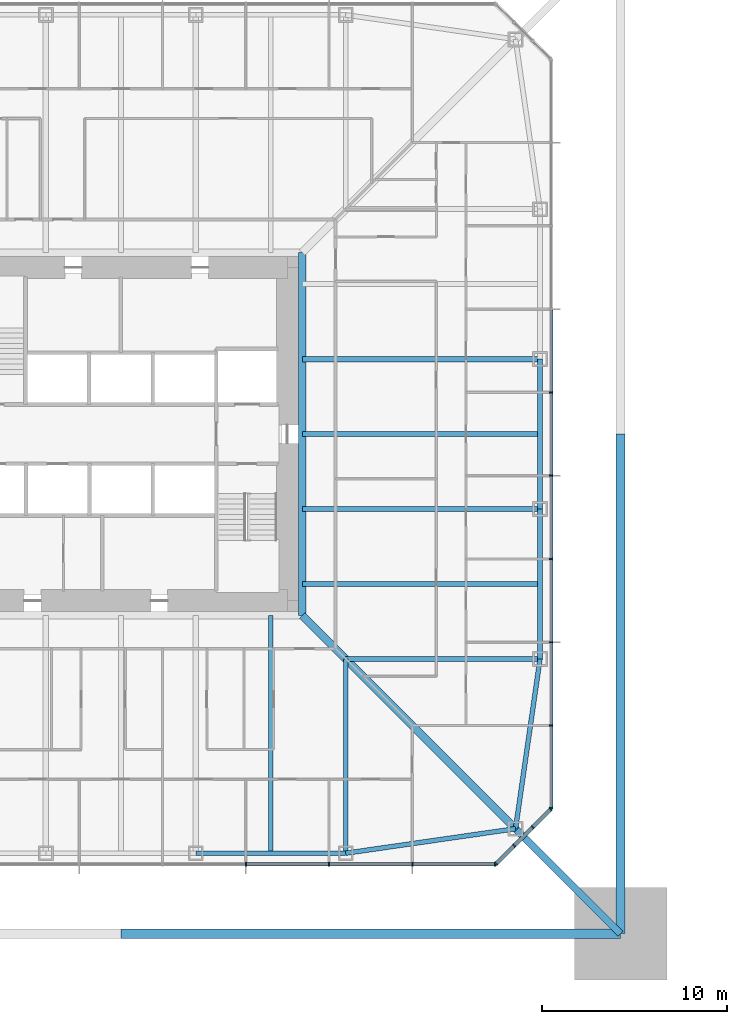
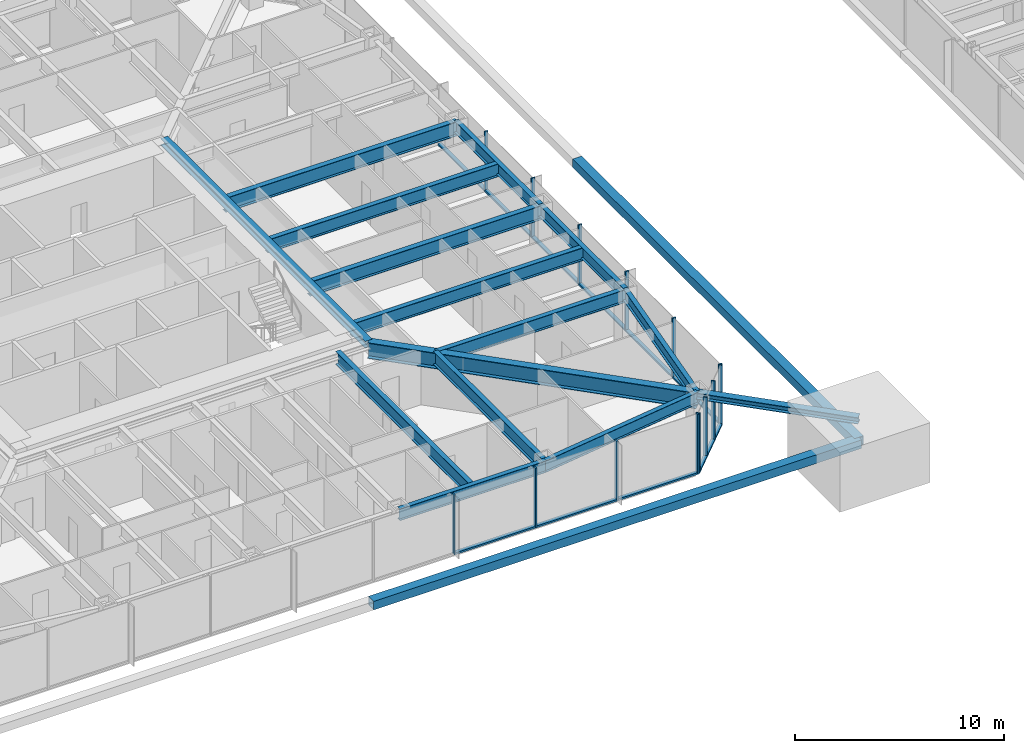
# One storey, part 5 of 27: 29 members, 14 beams, 3 elements without a shape of their own.
"""IFC4 building model written with IfcOpenShell, lengths in metres."""

from ifc_helpers import new_model, si_unit, direction, frame, origin, origin_2d, place, context, subcontext, project, spatial, rectangle, hollow_rectangle, i_section, extrude, material, material_profile, profile_set, type_object, element, aggregate, save


model = new_model("IFC4")

# Units and contexts
model_context = context("Model", 3, precision=1e-05, world=origin(), true_north=direction((0.0, 1.0)))
body_context = subcontext(model_context, "Body", "Model", "MODEL_VIEW")
ifc_project = project(units=[si_unit("LENGTHUNIT", "METRE"), si_unit("AREAUNIT", "SQUARE_METRE"), si_unit("VOLUMEUNIT", "CUBIC_METRE"), si_unit("PLANEANGLEUNIT", "RADIAN"), si_unit("MASSUNIT", "GRAM", prefix="KILO")], contexts=[model_context])

# Site, building, storey
site_placement = place(None, origin())
site = spatial("IfcSite", under=ifc_project, at=site_placement, CompositionType="ELEMENT")
building_placement = place(site_placement, origin())
building = spatial("IfcBuilding", under=site, at=building_placement, Name="Iwan Alto Co-Living Towers", CompositionType="ELEMENT")
storey_placement = place(building_placement, frame((0.0, 0.0, 53.5)))
storey = spatial("IfcBuildingStorey", under=building, at=storey_placement, Name="L14", CompositionType="ELEMENT", Elevation=53.5)

# Curtain wall, members
ifc_material_1 = material(Name="Bronze aluminium unitised frame", Category="aluminium")
curtain_wall_type_1 = type_object("IfcCurtainWallType", Name="CURTAIN WALL CW-A", PredefinedType="NOTDEFINED", material=ifc_material_1)
curtain_wall_1_placement = place(storey_placement, origin())
curtain_wall_1 = element("IfcCurtainWall", 1, at=curtain_wall_1_placement, inside=storey, type_object=curtain_wall_type_1, Name="T1 curtain wall S L14", PredefinedType="NOTDEFINED")
ifc_material_2 = material(Name="Aluminium 6063-T6 bronze anodised", Category="aluminium")
ifc_material_profile_1 = material_profile(ifc_material_2, rectangle(XDim=0.199951171875, YDim=0.080078125, at=origin_2d()), Name="AL 80X200")
ifc_profile_set_1 = profile_set([ifc_material_profile_1], Name="Aluminium 6063-T6 bronze anodised")
member_type_1 = type_object("IfcMemberType", Name="CW-A MULLION 80X200", PredefinedType="MULLION", material=ifc_profile_set_1)
member_1_placement = place(storey_placement, frame((6.75, -23.25, 0.0), z_axis=(0.0, 0.0, 1.0), x_axis=(0.0, 1.0, 0.0)))
member_1 = element("IfcMember", 2, at=member_1_placement, type_object=member_type_1, Name="CW-A mullion 7", PredefinedType="MULLION", context=body_context, shape_type="SweptSolid", body=[
    extrude(rectangle(XDim=0.199951171875, YDim=0.080078125, at=origin_2d()), origin(), (0.0, 0.0, 1.0), 3.5),
])
member_2_placement = place(storey_placement, frame((11.25, -23.25, 0.0), z_axis=(0.0, 0.0, 1.0), x_axis=(0.0, 1.0, 0.0)))
member_2 = element("IfcMember", 3, at=member_2_placement, type_object=member_type_1, Name="CW-A mullion 8", PredefinedType="MULLION", context=body_context, shape_type="SweptSolid", body=[
    extrude(rectangle(XDim=0.199951171875, YDim=0.080078125, at=origin_2d()), origin(), (0.0, 0.0, 1.0), 3.5),
])
member_3_placement = place(storey_placement, frame((15.75, -23.25, 0.0), z_axis=(0.0, 0.0, 1.0), x_axis=(0.0, 1.0, 0.0)))
member_3 = element("IfcMember", 4, at=member_3_placement, type_object=member_type_1, Name="CW-A mullion 9", PredefinedType="MULLION", context=body_context, shape_type="SweptSolid", body=[
    extrude(rectangle(XDim=0.199951171875, YDim=0.080078125, at=origin_2d()), origin(), (0.0, 0.0, 1.0), 3.5),
])
member_4_placement = place(storey_placement, frame((20.2099609375, -23.25, 0.0), z_axis=(0.0, 0.0, 1.0), x_axis=(0.0, 1.0, 0.0)))
member_4 = element("IfcMember", 5, at=member_4_placement, type_object=member_type_1, Name="CW-A mullion 10", PredefinedType="MULLION", context=body_context, shape_type="SweptSolid", body=[
    extrude(rectangle(XDim=0.199951171875, YDim=0.080078125, at=origin_2d()), origin(), (0.0, 0.0, 1.0), 3.5),
])

curtain_wall_2_placement = place(storey_placement, origin())
curtain_wall_2 = element("IfcCurtainWall", 6, at=curtain_wall_2_placement, inside=storey, type_object=curtain_wall_type_1, Name="T1 curtain wall E L14", PredefinedType="NOTDEFINED")
member_5_placement = place(storey_placement, frame((23.25, -20.2099609375, 0.0), z_axis=(0.0, 0.0, 1.0), x_axis=(-1.0, 0.0, 0.0)))
member_5 = element("IfcMember", 7, at=member_5_placement, type_object=member_type_1, Name="CW-A mullion 1", PredefinedType="MULLION", context=body_context, shape_type="SweptSolid", body=[
    extrude(rectangle(XDim=0.199951171875, YDim=0.080078125, at=origin_2d()), origin(), (0.0, 0.0, 1.0), 3.5),
])
member_6_placement = place(storey_placement, frame((23.25, -15.75, 0.0), z_axis=(0.0, 0.0, 1.0), x_axis=(-1.0, 0.0, 0.0)))
member_6 = element("IfcMember", 8, at=member_6_placement, type_object=member_type_1, Name="CW-A mullion 2", PredefinedType="MULLION", context=body_context, shape_type="SweptSolid", body=[
    extrude(rectangle(XDim=0.199951171875, YDim=0.080078125, at=origin_2d()), origin(), (0.0, 0.0, 1.0), 3.5),
])
member_7_placement = place(storey_placement, frame((23.25, -11.25, 0.0), z_axis=(0.0, 0.0, 1.0), x_axis=(-1.0, 0.0, 0.0)))
member_7 = element("IfcMember", 9, at=member_7_placement, type_object=member_type_1, Name="CW-A mullion 3", PredefinedType="MULLION", context=body_context, shape_type="SweptSolid", body=[
    extrude(rectangle(XDim=0.199951171875, YDim=0.080078125, at=origin_2d()), origin(), (0.0, 0.0, 1.0), 3.5),
])
member_8_placement = place(storey_placement, frame((23.25, -6.75, 0.0), z_axis=(0.0, 0.0, 1.0), x_axis=(-1.0, 0.0, 0.0)))
member_8 = element("IfcMember", 10, at=member_8_placement, type_object=member_type_1, Name="CW-A mullion 4", PredefinedType="MULLION", context=body_context, shape_type="SweptSolid", body=[
    extrude(rectangle(XDim=0.199951171875, YDim=0.080078125, at=origin_2d()), origin(), (0.0, 0.0, 1.0), 3.5),
])
member_9_placement = place(storey_placement, frame((23.25, -2.25, 0.0), z_axis=(0.0, 0.0, 1.0), x_axis=(-1.0, 0.0, 0.0)))
member_9 = element("IfcMember", 11, at=member_9_placement, type_object=member_type_1, Name="CW-A mullion 5", PredefinedType="MULLION", context=body_context, shape_type="SweptSolid", body=[
    extrude(rectangle(XDim=0.199951171875, YDim=0.080078125, at=origin_2d()), origin(), (0.0, 0.0, 1.0), 3.5),
])
member_10_placement = place(storey_placement, frame((23.25, 2.25, 0.0), z_axis=(0.0, 0.0, 1.0), x_axis=(-1.0, 0.0, 0.0)))
member_10 = element("IfcMember", 12, at=member_10_placement, type_object=member_type_1, Name="CW-A mullion 6", PredefinedType="MULLION", context=body_context, shape_type="SweptSolid", body=[
    extrude(rectangle(XDim=0.199951171875, YDim=0.080078125, at=origin_2d()), origin(), (0.0, 0.0, 1.0), 3.5),
])

# Member
ifc_material_3 = material(Name="Aluminium 6063-T6 bronze anodised", Category="aluminium")
ifc_material_profile_2 = material_profile(ifc_material_3, rectangle(XDim=0.199951171875, YDim=0.10009765625, at=origin_2d()), Name="AL 200X100")
ifc_profile_set_2 = profile_set([ifc_material_profile_2], Name="Aluminium 6063-T6 bronze anodised")
member_type_2 = type_object("IfcMemberType", Name="CW-A TRANSOM 200X100", PredefinedType="USERDEFINED", material=ifc_profile_set_2)
member_11_placement = place(storey_placement, frame((6.7900390625, -23.25, 0.050048828125), z_axis=(1.0, 0.0, 0.0), x_axis=(0.0, 1.0, 0.0)))
member_11 = element("IfcMember", 13, at=member_11_placement, type_object=member_type_2, Name="CW-A transom 7.1", ObjectType="TRANSOM", PredefinedType="USERDEFINED", context=body_context, shape_type="SweptSolid", body=[
    extrude(rectangle(XDim=0.199951171875, YDim=0.10009765625, at=origin_2d()), origin(), (0.0, 0.0, 1.0), 4.419921875),
])

member_12_placement = place(storey_placement, frame((11.2900390625, -23.25, 0.050048828125), z_axis=(1.0, 0.0, 0.0), x_axis=(0.0, 1.0, 0.0)))
member_12 = element("IfcMember", 14, at=member_12_placement, type_object=member_type_2, Name="CW-A transom 8.1", ObjectType="TRANSOM", PredefinedType="USERDEFINED", context=body_context, shape_type="SweptSolid", body=[
    extrude(rectangle(XDim=0.199951171875, YDim=0.10009765625, at=origin_2d()), origin(), (0.0, 0.0, 1.0), 4.419921875),
])

member_13_placement = place(storey_placement, frame((15.7900390625, -23.25, 0.050048828125), z_axis=(1.0, 0.0, 0.0), x_axis=(0.0, 1.0, 0.0)))
member_13 = element("IfcMember", 15, at=member_13_placement, type_object=member_type_2, Name="CW-A transom 9.1", ObjectType="TRANSOM", PredefinedType="USERDEFINED", context=body_context, shape_type="SweptSolid", body=[
    extrude(rectangle(XDim=0.199951171875, YDim=0.10009765625, at=origin_2d()), origin(), (0.0, 0.0, 1.0), 4.3798828125),
])

aggregate(curtain_wall_1, [member_1, member_2, member_3, member_4, member_11, member_12, member_13])

member_14_placement = place(storey_placement, frame((23.25, -20.169921875, 0.050048828125), z_axis=(0.0, 1.0, 0.0), x_axis=(-1.0, 0.0, 0.0)))
member_14 = element("IfcMember", 16, at=member_14_placement, type_object=member_type_2, Name="CW-A transom 1.1", ObjectType="TRANSOM", PredefinedType="USERDEFINED", context=body_context, shape_type="SweptSolid", body=[
    extrude(rectangle(XDim=0.199951171875, YDim=0.10009765625, at=origin_2d()), origin(), (0.0, 0.0, 1.0), 4.3798828125),
])

member_15_placement = place(storey_placement, frame((23.25, -15.7099609375, 0.050048828125), z_axis=(0.0, 1.0, 0.0), x_axis=(-1.0, 0.0, 0.0)))
member_15 = element("IfcMember", 17, at=member_15_placement, type_object=member_type_2, Name="CW-A transom 2.1", ObjectType="TRANSOM", PredefinedType="USERDEFINED", context=body_context, shape_type="SweptSolid", body=[
    extrude(rectangle(XDim=0.199951171875, YDim=0.10009765625, at=origin_2d()), origin(), (0.0, 0.0, 1.0), 4.419921875),
])

member_16_placement = place(storey_placement, frame((23.25, -11.2099609375, 0.050048828125), z_axis=(0.0, 1.0, 0.0), x_axis=(-1.0, 0.0, 0.0)))
member_16 = element("IfcMember", 18, at=member_16_placement, type_object=member_type_2, Name="CW-A transom 3.1", ObjectType="TRANSOM", PredefinedType="USERDEFINED", context=body_context, shape_type="SweptSolid", body=[
    extrude(rectangle(XDim=0.199951171875, YDim=0.10009765625, at=origin_2d()), origin(), (0.0, 0.0, 1.0), 4.419921875),
])

member_17_placement = place(storey_placement, frame((23.25, -6.7099609375, 0.050048828125), z_axis=(0.0, 1.0, 0.0), x_axis=(-1.0, 0.0, 0.0)))
member_17 = element("IfcMember", 19, at=member_17_placement, type_object=member_type_2, Name="CW-A transom 4.1", ObjectType="TRANSOM", PredefinedType="USERDEFINED", context=body_context, shape_type="SweptSolid", body=[
    extrude(rectangle(XDim=0.199951171875, YDim=0.10009765625, at=origin_2d()), origin(), (0.0, 0.0, 1.0), 4.419921875),
])

member_18_placement = place(storey_placement, frame((23.25, -2.2099609375, 0.050048828125), z_axis=(0.0, 1.0, 0.0), x_axis=(-1.0, 0.0, 0.0)))
member_18 = element("IfcMember", 20, at=member_18_placement, type_object=member_type_2, Name="CW-A transom 5.1", ObjectType="TRANSOM", PredefinedType="USERDEFINED", context=body_context, shape_type="SweptSolid", body=[
    extrude(rectangle(XDim=0.199951171875, YDim=0.10009765625, at=origin_2d()), origin(), (0.0, 0.0, 1.0), 4.419921875),
])

member_19_placement = place(storey_placement, frame((23.25, 2.2900390625, 0.050048828125), z_axis=(0.0, 1.0, 0.0), x_axis=(-1.0, 0.0, 0.0)))
member_19 = element("IfcMember", 21, at=member_19_placement, type_object=member_type_2, Name="CW-A transom 6.1", ObjectType="TRANSOM", PredefinedType="USERDEFINED", context=body_context, shape_type="SweptSolid", body=[
    extrude(rectangle(XDim=0.199951171875, YDim=0.10009765625, at=origin_2d()), origin(), (0.0, 0.0, 1.0), 4.419921875),
])

aggregate(curtain_wall_2, [member_5, member_6, member_7, member_8, member_9, member_10, member_14, member_15, member_16, member_17, member_18, member_19])

# Curtain wall, members
ifc_material_4 = material(Name="Bronze aluminium unitised frame", Category="aluminium")
curtain_wall_type_2 = type_object("IfcCurtainWallType", Name="CURTAIN WALL CW-B", PredefinedType="NOTDEFINED", material=ifc_material_4)
curtain_wall_3_placement = place(storey_placement, origin())
curtain_wall_3 = element("IfcCurtainWall", 22, at=curtain_wall_3_placement, inside=storey, type_object=curtain_wall_type_2, Name="T1 chamfer curtain wall SE L14", PredefinedType="NOTDEFINED")
ifc_material_5 = material(Name="Aluminium 6063-T6 bronze anodised", Category="aluminium")
ifc_material_profile_3 = material_profile(ifc_material_5, rectangle(XDim=0.199951171875, YDim=0.080078125, at=origin_2d()), Name="AL 80X200")
ifc_profile_set_3 = profile_set([ifc_material_profile_3], Name="Aluminium 6063-T6 bronze anodised")
member_type_3 = type_object("IfcMemberType", Name="CW-B MULLION 80X200", PredefinedType="MULLION", material=ifc_profile_set_3)
member_20_placement = place(storey_placement, frame((20.2783203125, -23.2216796875, 0.0), z_axis=(0.0, 0.0, 1.0), x_axis=(-0.707106781187, 0.707106781187, 0.0)))
member_20 = element("IfcMember", 23, at=member_20_placement, type_object=member_type_3, Name="CW-B mullion 1", PredefinedType="MULLION", context=body_context, shape_type="SweptSolid", body=[
    extrude(rectangle(XDim=0.199951171875, YDim=0.080078125, at=origin_2d()), origin(), (0.0, 0.0, 1.0), 3.5),
])
member_21_placement = place(storey_placement, frame((21.25, -22.25, 0.0), z_axis=(0.0, 0.0, 1.0), x_axis=(-0.707106781187, 0.707106781187, 0.0)))
member_21 = element("IfcMember", 24, at=member_21_placement, type_object=member_type_3, Name="CW-B mullion 2", PredefinedType="MULLION", context=body_context, shape_type="SweptSolid", body=[
    extrude(rectangle(XDim=0.199951171875, YDim=0.080078125, at=origin_2d()), origin(), (0.0, 0.0, 1.0), 3.5),
])
member_22_placement = place(storey_placement, frame((22.25, -21.25, 0.0), z_axis=(0.0, 0.0, 1.0), x_axis=(-0.707106781187, 0.707106781187, 0.0)))
member_22 = element("IfcMember", 25, at=member_22_placement, type_object=member_type_3, Name="CW-B mullion 3", PredefinedType="MULLION", context=body_context, shape_type="SweptSolid", body=[
    extrude(rectangle(XDim=0.199951171875, YDim=0.080078125, at=origin_2d()), origin(), (0.0, 0.0, 1.0), 3.5),
])
member_23_placement = place(storey_placement, frame((23.2216796875, -20.2783203125, 0.0), z_axis=(0.0, 0.0, 1.0), x_axis=(-0.707106781187, 0.707106781187, 0.0)))
member_23 = element("IfcMember", 26, at=member_23_placement, type_object=member_type_3, Name="CW-B mullion 4", PredefinedType="MULLION", context=body_context, shape_type="SweptSolid", body=[
    extrude(rectangle(XDim=0.199951171875, YDim=0.080078125, at=origin_2d()), origin(), (0.0, 0.0, 1.0), 3.5),
])
ifc_material_6 = material(Name="Aluminium 6063-T6 bronze anodised", Category="aluminium")
ifc_material_profile_4 = material_profile(ifc_material_6, rectangle(XDim=0.199951171875, YDim=0.10009765625, at=origin_2d()), Name="AL 200X100")
ifc_profile_set_4 = profile_set([ifc_material_profile_4], Name="Aluminium 6063-T6 bronze anodised")
member_type_4 = type_object("IfcMemberType", Name="CW-B TRANSOM 200X100", PredefinedType="USERDEFINED", material=ifc_profile_set_4)
member_24_placement = place(storey_placement, frame((20.306640625, -23.193359375, 0.050048828125), z_axis=(0.707106781187, 0.707106781187, 0.0), x_axis=(-0.707106781187, 0.707106781187, 0.0)))
member_24 = element("IfcMember", 27, at=member_24_placement, type_object=member_type_4, Name="CW-B transom 1.1", ObjectType="TRANSOM", PredefinedType="USERDEFINED", context=body_context, shape_type="SweptSolid", body=[
    extrude(rectangle(XDim=0.199951171875, YDim=0.10009765625, at=origin_2d()), origin(), (0.0, 0.0, 1.0), 1.2939453125),
])
member_25_placement = place(storey_placement, frame((21.2783203125, -22.2216796875, 0.050048828125), z_axis=(0.707106781187, 0.707106781187, 0.0), x_axis=(-0.707106781187, 0.707106781187, 0.0)))
member_25 = element("IfcMember", 28, at=member_25_placement, type_object=member_type_4, Name="CW-B transom 2.1", ObjectType="TRANSOM", PredefinedType="USERDEFINED", context=body_context, shape_type="SweptSolid", body=[
    extrude(rectangle(XDim=0.199951171875, YDim=0.10009765625, at=origin_2d()), origin(), (0.0, 0.0, 1.0), 1.334228515625),
])
member_26_placement = place(storey_placement, frame((22.2783203125, -21.2216796875, 0.050048828125), z_axis=(0.707106781187, 0.707106781187, 0.0), x_axis=(-0.707106781187, 0.707106781187, 0.0)))
member_26 = element("IfcMember", 29, at=member_26_placement, type_object=member_type_4, Name="CW-B transom 3.1", ObjectType="TRANSOM", PredefinedType="USERDEFINED", context=body_context, shape_type="SweptSolid", body=[
    extrude(rectangle(XDim=0.199951171875, YDim=0.10009765625, at=origin_2d()), origin(), (0.0, 0.0, 1.0), 1.2939453125),
])
aggregate(curtain_wall_3, [member_20, member_21, member_22, member_23, member_24, member_25, member_26])

# Beams
ifc_material_7 = material(Name="Steel ASTM A992 Gr 50", Category="steel")
ifc_material_profile_5 = material_profile(ifc_material_7, i_section(OverallWidth=0.40380859375, OverallDepth=0.406494140625, WebThickness=0.027099609375, FlangeThickness=0.043701171875, at=origin_2d()), Name="W14X233")
ifc_profile_set_5 = profile_set([ifc_material_profile_5], Name="Steel ASTM A992 Gr 50")
beam_type_1 = type_object("IfcBeamType", Name="T1 CORE LEDGER BEAM W14X233", PredefinedType="BEAM", material=ifc_profile_set_5)
beam_1_placement = place(storey_placement, frame((9.802001953125, -9.802001953125, 3.06689453125), z_axis=(0.0, 1.0, 0.0), x_axis=(-1.0, 0.0, 0.0)))
element("IfcBeam", 30, at=beam_1_placement, inside=storey, type_object=beam_type_1, Name="T1 core ledger beam E L15", PredefinedType="BEAM", context=body_context, shape_type="SweptSolid", body=[
    extrude(i_section(OverallWidth=0.40380859375, OverallDepth=0.406494140625, WebThickness=0.027099609375, FlangeThickness=0.043701171875, at=origin_2d()), origin(), (0.0, 0.0, 1.0), 19.60400390625),
])
ifc_material_8 = material(Name="Steel ASTM A992 Gr 50", Category="steel")
ifc_material_profile_6 = material_profile(ifc_material_8, i_section(OverallWidth=0.419189453125, OverallDepth=0.927001953125, WebThickness=0.019287109375, FlangeThickness=0.031982421875, at=origin_2d()), Name="W36X231")
ifc_profile_set_6 = profile_set([ifc_material_profile_6], Name="Steel ASTM A992 Gr 50")
beam_type_2 = type_object("IfcBeamType", Name="T1 CORNER GIRDER W36X231", PredefinedType="BEAM", material=ifc_profile_set_6)
beam_2_placement = place(storey_placement, frame((21.32568359375, -21.32568359375, 2.806396484375), z_axis=(-0.707106781187, 0.707106781187, 0.0), x_axis=(-0.707106781187, -0.707106781187, 0.0)))
element("IfcBeam", 31, at=beam_2_placement, inside=storey, type_object=beam_type_2, Name="T1 corner girder CSE L15", PredefinedType="BEAM", context=body_context, shape_type="SweptSolid", body=[
    extrude(i_section(OverallWidth=0.419189453125, OverallDepth=0.927001953125, WebThickness=0.019287109375, FlangeThickness=0.031982421875, at=origin_2d()), origin(), (0.0, 0.0, 1.0), 16.296875),
])
ifc_material_9 = material(Name="Steel ASTM A992 Gr 50", Category="steel")
ifc_material_profile_7 = material_profile(ifc_material_9, i_section(OverallWidth=0.25390625, OverallDepth=0.683349609375, WebThickness=0.012451171875, FlangeThickness=0.018798828125, at=origin_2d()), Name="W27X94")
ifc_profile_set_7 = profile_set([ifc_material_profile_7], Name="Steel ASTM A992 Gr 50")
beam_type_3 = type_object("IfcBeamType", Name="T1 EDGE BEAM W27X94", PredefinedType="BEAM", material=ifc_profile_set_7)
beam_3_placement = place(storey_placement, frame((4.050048828125, -22.64990234375, 2.928466796875), z_axis=(1.0, 0.0, 0.0), x_axis=(0.0, 1.0, 0.0)))
element("IfcBeam", 32, at=beam_3_placement, inside=storey, type_object=beam_type_3, Name="T1 edge beam S3 L15", PredefinedType="BEAM", context=body_context, shape_type="SweptSolid", body=[
    extrude(i_section(OverallWidth=0.25390625, OverallDepth=0.683349609375, WebThickness=0.012451171875, FlangeThickness=0.018798828125, at=origin_2d()), origin(), (0.0, 0.0, 1.0), 8.099853515625),
])
for number, where, z_axis, x_axis, name in (
    (33, (12.14990234375, -22.64990234375, 2.928466796875), (0.989746234347, 0.142836940589, 0.0), (-0.142836940589, 0.989746234347, 0.0), "T1 edge beam S4 L15"),
    (34, (21.32568359375, -21.32568359375, 2.928466796875), (0.142836940589, 0.989746234347, 0.0), (-0.989746234347, 0.142836940589, 0.0), "T1 edge beam CSE L15"),
):
    element("IfcBeam", number, at=place(storey_placement, frame(where, z_axis=z_axis, x_axis=x_axis)), inside=storey, type_object=beam_type_3, Name=name, PredefinedType="BEAM", context=body_context, shape_type="SweptSolid", body=[
        extrude(i_section(OverallWidth=0.25390625, OverallDepth=0.683349609375, WebThickness=0.012451171875, FlangeThickness=0.018798828125, at=origin_2d()), origin(), (0.0, 0.0, 1.0), 9.270751953125),
    ])
beam_4_placement = place(storey_placement, frame((22.64990234375, -12.14990234375, 2.928466796875), z_axis=(0.0, 1.0, 0.0), x_axis=(-1.0, 0.0, 0.0)))
element("IfcBeam", 35, at=beam_4_placement, inside=storey, type_object=beam_type_3, Name="T1 edge beam E1 L15", PredefinedType="BEAM", context=body_context, shape_type="SweptSolid", body=[
    extrude(i_section(OverallWidth=0.25390625, OverallDepth=0.683349609375, WebThickness=0.012451171875, FlangeThickness=0.018798828125, at=origin_2d()), origin(), (0.0, 0.0, 1.0), 8.099853515625),
])
beam_5_placement = place(storey_placement, frame((22.64990234375, -4.050048828125, 2.928466796875), z_axis=(0.0, 1.0, 0.0), x_axis=(-1.0, 0.0, 0.0)))
element("IfcBeam", 36, at=beam_5_placement, inside=storey, type_object=beam_type_3, Name="T1 edge beam E2 L15", PredefinedType="BEAM", context=body_context, shape_type="SweptSolid", body=[
    extrude(i_section(OverallWidth=0.25390625, OverallDepth=0.683349609375, WebThickness=0.012451171875, FlangeThickness=0.018798828125, at=origin_2d()), origin(), (0.0, 0.0, 1.0), 8.10009765625),
])

# Members
ifc_material_10 = material(Name="Steel ASTM A992 Gr 50", Category="steel")
ifc_material_profile_8 = material_profile(ifc_material_10, i_section(OverallWidth=0.393798828125, OverallDepth=0.3759765625, WebThickness=0.017333984375, FlangeThickness=0.027587890625, at=origin_2d()), Name="W14X145")
ifc_profile_set_8 = profile_set([ifc_material_profile_8], Name="Steel ASTM A992 Gr 50")
member_type_5 = type_object("IfcMemberType", Name="T1 MEGA COLUMN FLOOR TIE W14X145", PredefinedType="STRUT", material=ifc_profile_set_8)
member_27_placement = place(storey_placement, frame((27.0, -27.0, 3.08203125), z_axis=(-0.707106781187, 0.707106781187, 0.0), x_axis=(-0.707106781187, -0.707106781187, 0.0)))
element("IfcMember", 37, at=member_27_placement, inside=storey, type_object=member_type_5, Name="T1 mega column floor tie SE L15", PredefinedType="STRUT", context=body_context, shape_type="SweptSolid", body=[
    extrude(i_section(OverallWidth=0.393798828125, OverallDepth=0.3759765625, WebThickness=0.017333984375, FlangeThickness=0.027587890625, at=origin_2d()), origin(), (0.0, 0.0, 1.0), 8.024658203125),
])
ifc_material_11 = material(Name="Steel ASTM A572 Gr 50", Category="steel")
ifc_material_profile_9 = material_profile(ifc_material_11, hollow_rectangle(XDim=0.5, YDim=0.5, WallThickness=0.031982421875, at=origin_2d()), Name="BOX 500X500X32")
ifc_profile_set_9 = profile_set([ifc_material_profile_9], Name="Steel ASTM A572 Gr 50")
member_type_6 = type_object("IfcMemberType", Name="T1 MEGA TIE BOX 500X500X32", PredefinedType="STRUT", material=ifc_profile_set_9)
for number, where, z_axis, x_axis, name in (
    (38, (0.0, -27.0, 1.75), (1.0, 0.0, 0.0), (0.0, 1.0, 0.0), "T1 mega tie Z1B S 2"),
    (39, (27.0, -27.0, 1.75), (0.0, 1.0, 0.0), (-1.0, 0.0, 0.0), "T1 mega tie Z1B E 1"),
):
    element("IfcMember", number, at=place(storey_placement, frame(where, z_axis=z_axis, x_axis=x_axis)), inside=storey, type_object=member_type_6, Name=name, PredefinedType="STRUT", context=body_context, shape_type="SweptSolid", body=[
        extrude(hollow_rectangle(XDim=0.5, YDim=0.5, WallThickness=0.031982421875, at=origin_2d()), origin(), (0.0, 0.0, 1.0), 27.0),
    ])

# Beams
ifc_material_12 = material(Name="Steel ASTM A992 Gr 50", Category="steel")
ifc_material_profile_10 = material_profile(ifc_material_12, i_section(OverallWidth=0.2666015625, OverallDepth=0.761962890625, WebThickness=0.014404296875, FlangeThickness=0.021484375, at=origin_2d()), Name="W30X116")
ifc_profile_set_10 = profile_set([ifc_material_profile_10], Name="Steel ASTM A992 Gr 50")
beam_type_4 = type_object("IfcBeamType", Name="T1 RADIAL BEAM W30X116", PredefinedType="BEAM", material=ifc_profile_set_10)
for number, where, z_axis, x_axis, name in (
    (40, (12.14990234375, -22.64990234375, 2.888916015625), (0.0, 1.0, 0.0), (-1.0, 0.0, 0.0), "T1 radial beam S4 L15"),
    (41, (22.64990234375, -12.14990234375, 2.888916015625), (-1.0, 0.0, 0.0), (0.0, -1.0, 0.0), "T1 radial beam E1 L15"),
):
    element("IfcBeam", number, at=place(storey_placement, frame(where, z_axis=z_axis, x_axis=x_axis)), inside=storey, type_object=beam_type_4, Name=name, PredefinedType="BEAM", context=body_context, shape_type="SweptSolid", body=[
        extrude(i_section(OverallWidth=0.2666015625, OverallDepth=0.761962890625, WebThickness=0.014404296875, FlangeThickness=0.021484375, at=origin_2d()), origin(), (0.0, 0.0, 1.0), 10.5),
    ])
ifc_material_13 = material(Name="Steel ASTM A992 Gr 50", Category="steel")
ifc_material_profile_11 = material_profile(ifc_material_13, i_section(OverallWidth=0.2919921875, OverallDepth=0.8408203125, WebThickness=0.0146484375, FlangeThickness=0.021728515625, at=origin_2d()), Name="W33X130")
ifc_profile_set_11 = profile_set([ifc_material_profile_11], Name="Steel ASTM A992 Gr 50")
beam_type_5 = type_object("IfcBeamType", Name="T1 RADIAL BEAM W33X130", PredefinedType="BEAM", material=ifc_profile_set_11)
for number, where, z_axis, x_axis, name in (
    (42, (22.64990234375, -4.050048828125, 2.849609375), (-1.0, 0.0, 0.0), (0.0, -1.0, 0.0), "T1 radial beam E2 L15"),
    (43, (22.64990234375, 4.050048828125, 2.849609375), (-1.0, 0.0, 0.0), (0.0, -1.0, 0.0), "T1 radial beam E3 L15"),
):
    element("IfcBeam", number, at=place(storey_placement, frame(where, z_axis=z_axis, x_axis=x_axis)), inside=storey, type_object=beam_type_5, Name=name, PredefinedType="BEAM", context=body_context, shape_type="SweptSolid", body=[
        extrude(i_section(OverallWidth=0.2919921875, OverallDepth=0.8408203125, WebThickness=0.0146484375, FlangeThickness=0.021728515625, at=origin_2d()), origin(), (0.0, 0.0, 1.0), 12.847900390625),
    ])
ifc_material_14 = material(Name="Steel ASTM A992 Gr 50", Category="steel")
ifc_material_profile_12 = material_profile(ifc_material_14, i_section(OverallWidth=0.2666015625, OverallDepth=0.761962890625, WebThickness=0.014404296875, FlangeThickness=0.021484375, at=origin_2d()), Name="W30X116")
ifc_profile_set_12 = profile_set([ifc_material_profile_12], Name="Steel ASTM A992 Gr 50")
beam_type_6 = type_object("IfcBeamType", Name="T1 SECONDARY BEAM W30X116", PredefinedType="JOIST", material=ifc_profile_set_12)
for number, where, z_axis, x_axis, name in (
    (44, (8.10009765625, -22.64990234375, 2.888916015625), (0.0, 1.0, 0.0), (-1.0, 0.0, 0.0), "T1 secondary beam S3 L15"),
    (45, (22.64990234375, -8.10009765625, 2.888916015625), (-1.0, 0.0, 0.0), (0.0, -1.0, 0.0), "T1 secondary beam E1 L15"),
    (46, (22.64990234375, 0.0, 2.888916015625), (-1.0, 0.0, 0.0), (0.0, -1.0, 0.0), "T1 secondary beam E2 L15"),
):
    element("IfcBeam", number, at=place(storey_placement, frame(where, z_axis=z_axis, x_axis=x_axis)), inside=storey, type_object=beam_type_6, Name=name, PredefinedType="JOIST", context=body_context, shape_type="SweptSolid", body=[
        extrude(i_section(OverallWidth=0.2666015625, OverallDepth=0.761962890625, WebThickness=0.014404296875, FlangeThickness=0.021484375, at=origin_2d()), origin(), (0.0, 0.0, 1.0), 12.847900390625),
    ])

save(model, "model.ifc")
